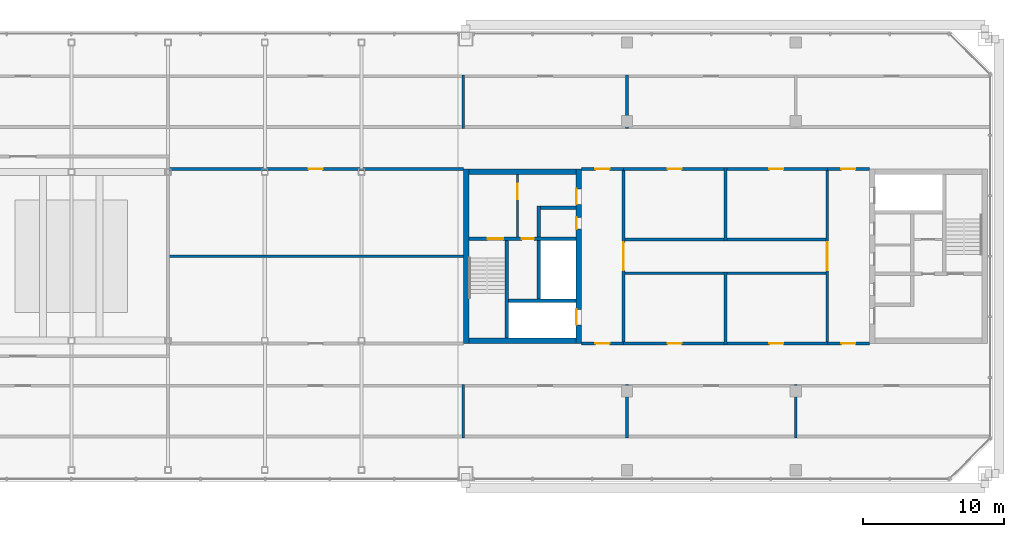
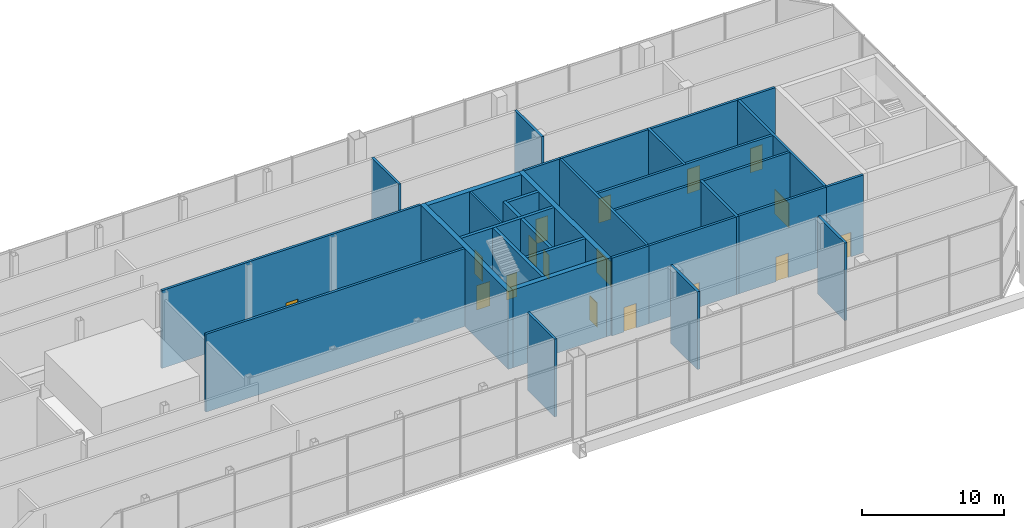
# One storey, part 24 of 27: 30 walls, 17 doors, 17 openings.
"""IFC4 building model written with IfcOpenShell, lengths in metres."""

from ifc_helpers import new_model, si_unit, direction, frame, frame_2d, origin, place, context, subcontext, project, spatial, rectangle, extrude, material, layer, layer_set, type_object, element, fill, save


model = new_model("IFC4")

# Units and contexts
model_context = context("Model", 3, precision=1e-05, world=origin(), true_north=direction((0.0, 1.0)))
body_context = subcontext(model_context, "Body", "Model", "MODEL_VIEW")
ifc_project = project(units=[si_unit("LENGTHUNIT", "METRE"), si_unit("AREAUNIT", "SQUARE_METRE"), si_unit("VOLUMEUNIT", "CUBIC_METRE"), si_unit("PLANEANGLEUNIT", "RADIAN"), si_unit("MASSUNIT", "GRAM", prefix="KILO")], contexts=[model_context])

# Site, building, storey
site_placement = place(None, origin())
site = spatial("IfcSite", under=ifc_project, at=site_placement, CompositionType="ELEMENT")
building_placement = place(site_placement, origin())
building = spatial("IfcBuilding", under=site, at=building_placement, Name="Tuart Gate Housing", CompositionType="ELEMENT")
storey_placement = place(building_placement, frame((0.0, 0.0, 236.89990234375)))
storey = spatial("IfcBuildingStorey", under=building, at=storey_placement, Name="L67", CompositionType="ELEMENT", Elevation=236.89990234375)

# Wall, opening, door
ifc_material_1 = material(Name="Plasterboard partition")
ifc_layer_1 = layer(ifc_material_1, 0.14990234375)
ifc_layer_set_1 = layer_set([ifc_layer_1], Name="Core partition 150")
wall_type_1 = type_object("IfcWallType", Name="Core partition 150", PredefinedType="PARTITIONING", material=ifc_layer_set_1)
wall_1_placement = place(storey_placement, frame((135.2099609375, 71.375, 0.0), z_axis=(0.0, 0.0, 1.0), x_axis=(0.0, 1.0, 0.0)))
wall_1 = element("IfcWall", 1, at=wall_1_placement, inside=storey, type_object=wall_type_1, Name="Core partition BG.6", PredefinedType="PARTITIONING", context=body_context, shape_type="SweptSolid", body=[
    extrude(rectangle(XDim=4.425048828125, YDim=0.14990234375, at=frame_2d((2.21240234375, 0.0))), origin(), (0.0, 0.0, 1.0), 6.7001953125),
])
opening_1_placement = place(wall_1_placement, frame((2.699951171875, 0.0, 0.0)))
opening_1 = element("IfcOpeningElement", 2, at=opening_1_placement, cuts=wall_1, Name="Opening D325", PredefinedType="OPENING", context=body_context, shape_type="SweptSolid", body=[
    extrude(rectangle(XDim=1.10009765625, YDim=2.10009765625, at=frame_2d((0.550048828125, 1.050048828125))), frame((0.0, 0.0849609375, 0.0), z_axis=(0.0, -1.0, 0.0), x_axis=(1.0, 0.0, 0.0)), (0.0, 0.0, 1.0), 0.169921875),
])
ifc_material_2 = material(Name="Steel fire door", Category="steel")
door_type_1 = type_object("IfcDoorType", Name="Lobby door 1100 x 2100 RH", OperationType="SINGLE_SWING_RIGHT", PredefinedType="DOOR", material=ifc_material_2)
door_1_placement = place(opening_1_placement, origin())
door_1 = element("IfcDoor", 3, at=door_1_placement, inside=storey, type_object=door_type_1, Name="Smoke lobby door BG.KD", OperationType="SINGLE_SWING_RIGHT", OverallHeight=2.10009765625, OverallWidth=1.10009765625, PredefinedType="DOOR", context=body_context, shape_type="SweptSolid", body=[
    extrude(rectangle(XDim=1.10009765625, YDim=2.10009765625, at=frame_2d((0.550048828125, 1.050048828125))), frame((0.0, 0.02490234375, 0.0), z_axis=(0.0, -1.0, 0.0), x_axis=(1.0, 0.0, 0.0)), (0.0, 0.0, 1.0), 0.050048828125),
])
fill(opening_1, door_1)

# Wall
ifc_material_3 = material(Name="Concrete C40", Category="concrete")
ifc_layer_2 = layer(ifc_material_3, 0.25)
ifc_layer_set_2 = layer_set([ifc_layer_2], Name="Core wall 250 C40")
wall_type_2 = type_object("IfcWallType", Name="Core wall 250 C40", PredefinedType="SHEAR", material=ifc_layer_set_2)
wall_2_placement = place(storey_placement, frame((139.360107421875, 66.85009765625, 0.0), z_axis=(0.0, 0.0, 1.0), x_axis=(-1.0, 0.0, 0.0)))
element("IfcWall", 4, at=wall_2_placement, inside=storey, type_object=wall_type_2, Name="Core wall BG.1", PredefinedType="SHEAR", context=body_context, shape_type="SweptSolid", body=[
    extrude(rectangle(XDim=4.775146484375, YDim=0.25, at=frame_2d((2.3876953125, 0.0))), origin(), (0.0, 0.0, 1.0), 6.7001953125),
])

# Wall, openings, doors
wall_3_placement = place(storey_placement, frame((139.360107421875, 71.25, 0.0), z_axis=(0.0, 0.0, 1.0), x_axis=(-1.0, 0.0, 0.0)))
wall_3 = element("IfcWall", 5, at=wall_3_placement, inside=storey, type_object=wall_type_2, Name="Core wall BG.2", PredefinedType="SHEAR", context=body_context, shape_type="SweptSolid", body=[
    extrude(rectangle(XDim=7.60009765625, YDim=0.25, at=frame_2d((3.800048828125, 0.0))), origin(), (0.0, 0.0, 1.0), 6.7001953125),
])
opening_2_placement = place(wall_3_placement, frame((5.175048828125, 0.0, 0.0)))
opening_2 = element("IfcOpeningElement", 6, at=opening_2_placement, cuts=wall_3, Name="Opening D327", PredefinedType="OPENING", context=body_context, shape_type="SweptSolid", body=[
    extrude(rectangle(XDim=1.10009765625, YDim=2.10009765625, at=frame_2d((0.550048828125, 1.050048828125))), frame((0.0, 0.135009765625, 0.0), z_axis=(0.0, -1.0, 0.0), x_axis=(1.0, 0.0, 0.0)), (0.0, 0.0, 1.0), 0.27001953125),
])
opening_3_placement = place(wall_3_placement, frame((2.97509765625, 0.0, 0.0)))
opening_3 = element("IfcOpeningElement", 7, at=opening_3_placement, cuts=wall_3, Name="Opening D326", PredefinedType="OPENING", context=body_context, shape_type="SweptSolid", body=[
    extrude(rectangle(XDim=0.85009765625, YDim=2.10009765625, at=frame_2d((0.425048828125, 1.050048828125))), frame((0.0, 0.135009765625, 0.0), z_axis=(0.0, -1.0, 0.0), x_axis=(1.0, 0.0, 0.0)), (0.0, 0.0, 1.0), 0.27001953125),
])
ifc_material_4 = material(Name="Steel fire door", Category="steel")
door_type_2 = type_object("IfcDoorType", Name="Riser door 850 x 2100", OperationType="SINGLE_SWING_LEFT", PredefinedType="DOOR", material=ifc_material_4)
door_2_placement = place(opening_3_placement, origin())
door_2 = element("IfcDoor", 8, at=door_2_placement, inside=storey, type_object=door_type_2, Name="Service room door BG.W1", OperationType="SINGLE_SWING_LEFT", OverallHeight=2.10009765625, OverallWidth=0.85009765625, PredefinedType="DOOR", context=body_context, shape_type="SweptSolid", body=[
    extrude(rectangle(XDim=0.85009765625, YDim=2.10009765625, at=frame_2d((0.425048828125, 1.050048828125))), frame((0.0, 0.02490234375, 0.0), z_axis=(0.0, -1.0, 0.0), x_axis=(1.0, 0.0, 0.0)), (0.0, 0.0, 1.0), 0.050048828125),
])
fill(opening_3, door_2)
ifc_material_5 = material(Name="Steel fire door", Category="steel")
door_type_3 = type_object("IfcDoorType", Name="Stair door 1100 x 2100", OperationType="SINGLE_SWING_LEFT", PredefinedType="DOOR", material=ifc_material_5)
door_3_placement = place(opening_2_placement, origin())
door_3 = element("IfcDoor", 9, at=door_3_placement, inside=storey, type_object=door_type_3, Name="Stair door BG.SD", OperationType="SINGLE_SWING_LEFT", OverallHeight=2.10009765625, OverallWidth=1.10009765625, PredefinedType="DOOR", context=body_context, shape_type="SweptSolid", body=[
    extrude(rectangle(XDim=1.10009765625, YDim=2.10009765625, at=frame_2d((0.550048828125, 1.050048828125))), frame((0.0, 0.02490234375, 0.0), z_axis=(0.0, -1.0, 0.0), x_axis=(1.0, 0.0, 0.0)), (0.0, 0.0, 1.0), 0.050048828125),
])
fill(opening_2, door_3)

# Walls
wall_4_placement = place(storey_placement, frame((139.360107421875, 73.449951171875, 0.0), z_axis=(0.0, 0.0, 1.0), x_axis=(-1.0, 0.0, 0.0)))
element("IfcWall", 10, at=wall_4_placement, inside=storey, type_object=wall_type_2, Name="Core wall BG.3", PredefinedType="SHEAR", context=body_context, shape_type="SweptSolid", body=[
    extrude(rectangle(XDim=2.525146484375, YDim=0.25, at=frame_2d((1.2626953125, 0.0))), origin(), (0.0, 0.0, 1.0), 6.7001953125),
])
wall_5_placement = place(storey_placement, frame((136.7099609375, 66.97509765625, 0.0), z_axis=(0.0, 0.0, 1.0), x_axis=(0.0, 1.0, 0.0)))
element("IfcWall", 11, at=wall_5_placement, inside=storey, type_object=wall_type_2, Name="Core wall BG.4", PredefinedType="SHEAR", context=body_context, shape_type="SweptSolid", body=[
    extrude(rectangle(XDim=4.14990234375, YDim=0.25, at=frame_2d((2.074951171875, 0.0))), origin(), (0.0, 0.0, 1.0), 6.7001953125),
])
wall_6_placement = place(storey_placement, frame((136.7099609375, 71.375, 0.0), z_axis=(0.0, 0.0, 1.0), x_axis=(0.0, 1.0, 0.0)))
element("IfcWall", 12, at=wall_6_placement, inside=storey, type_object=wall_type_2, Name="Core wall BG.5", PredefinedType="SHEAR", context=body_context, shape_type="SweptSolid", body=[
    extrude(rectangle(XDim=2.199951171875, YDim=0.25, at=frame_2d((1.10009765625, 0.0))), origin(), (0.0, 0.0, 1.0), 6.7001953125),
])
wall_7_placement = place(storey_placement, frame((134.4599609375, 64.199951171875, 0.0), z_axis=(0.0, 0.0, 1.0), x_axis=(0.0, 1.0, 0.0)))
element("IfcWall", 13, at=wall_7_placement, inside=storey, type_object=wall_type_2, Name="Core wall BG.7", PredefinedType="SHEAR", context=body_context, shape_type="SweptSolid", body=[
    extrude(rectangle(XDim=6.925048828125, YDim=0.25, at=frame_2d((3.46240234375, 0.0))), origin(), (0.0, 0.0, 1.0), 6.7001953125),
])

# Wall, openings, doors
ifc_material_6 = material(Name="Concrete C40", Category="concrete")
ifc_layer_3 = layer(ifc_material_6, 0.39990234375)
ifc_layer_set_3 = layer_set([ifc_layer_3], Name="Core wall 400 C40")
wall_type_3 = type_object("IfcWallType", Name="Core wall 400 C40", PredefinedType="SHEAR", material=ifc_layer_set_3)
wall_8_placement = place(storey_placement, frame((139.56005859375, 63.800048828125, 0.0), z_axis=(0.0, 0.0, 1.0), x_axis=(0.0, 1.0, 0.0)))
wall_8 = element("IfcWall", 14, at=wall_8_placement, inside=storey, type_object=wall_type_3, Name="Core wall BG front", PredefinedType="SHEAR", context=body_context, shape_type="SweptSolid", body=[
    extrude(rectangle(XDim=12.39990234375, YDim=0.39990234375, at=frame_2d((6.199951171875, 0.0))), origin(), (0.0, 0.0, 1.0), 6.7001953125),
])
opening_4_placement = place(wall_8_placement, frame((1.324951171875, 0.0, 0.0)))
opening_4 = element("IfcOpeningElement", 15, at=opening_4_placement, cuts=wall_8, Name="Opening LD-FB1", PredefinedType="OPENING", context=body_context, shape_type="SweptSolid", body=[
    extrude(rectangle(XDim=1.10009765625, YDim=2.10009765625, at=frame_2d((0.550048828125, 1.050048828125))), frame((0.0, 0.2099609375, 0.0), z_axis=(0.0, -1.0, 0.0), x_axis=(1.0, 0.0, 0.0)), (0.0, 0.0, 1.0), 0.419921875),
])
opening_5_placement = place(wall_8_placement, frame((9.89990234375, 0.0, 0.0)))
opening_5 = element("IfcOpeningElement", 16, at=opening_5_placement, cuts=wall_8, Name="Opening D329", PredefinedType="OPENING", context=body_context, shape_type="SweptSolid", body=[
    extrude(rectangle(XDim=1.10009765625, YDim=2.10009765625, at=frame_2d((0.550048828125, 1.050048828125))), frame((0.0, 0.2099609375, 0.0), z_axis=(0.0, -1.0, 0.0), x_axis=(1.0, 0.0, 0.0)), (0.0, 0.0, 1.0), 0.419921875),
])
opening_6_placement = place(wall_8_placement, frame((8.125, 0.0, 0.0)))
opening_6 = element("IfcOpeningElement", 17, at=opening_6_placement, cuts=wall_8, Name="Opening D330", PredefinedType="OPENING", context=body_context, shape_type="SweptSolid", body=[
    extrude(rectangle(XDim=0.85009765625, YDim=2.10009765625, at=frame_2d((0.425048828125, 1.050048828125))), frame((0.0, 0.2099609375, 0.0), z_axis=(0.0, -1.0, 0.0), x_axis=(1.0, 0.0, 0.0)), (0.0, 0.0, 1.0), 0.419921875),
])
ifc_material_7 = material(Name="Stainless steel", Category="steel")
door_type_4 = type_object("IfcDoorType", Name="Landing door 1100 x 2100", OperationType="DOUBLE_DOOR_SLIDING", PredefinedType="DOOR", material=ifc_material_7)
door_4_placement = place(opening_4_placement, origin())
door_4 = element("IfcDoor", 18, at=door_4_placement, inside=storey, type_object=door_type_4, Name="Lift landing door FB1", OperationType="DOUBLE_DOOR_SLIDING", OverallHeight=2.10009765625, OverallWidth=1.10009765625, PredefinedType="DOOR", context=body_context, shape_type="SweptSolid", body=[
    extrude(rectangle(XDim=1.10009765625, YDim=2.10009765625, at=frame_2d((0.550048828125, 1.050048828125))), frame((0.0, 0.18505859375, 0.0), z_axis=(0.0, -1.0, 0.0), x_axis=(1.0, 0.0, 0.0)), (0.0, 0.0, 1.0), 0.050048828125),
])
fill(opening_4, door_4)
ifc_material_8 = material(Name="Steel fire door", Category="steel")
door_type_5 = type_object("IfcDoorType", Name="Lobby door 1100 x 2100", OperationType="SINGLE_SWING_LEFT", PredefinedType="DOOR", material=ifc_material_8)
door_5_placement = place(opening_5_placement, origin())
door_5 = element("IfcDoor", 19, at=door_5_placement, inside=storey, type_object=door_type_5, Name="Lobby entry door BG.EN", OperationType="SINGLE_SWING_LEFT", OverallHeight=2.10009765625, OverallWidth=1.10009765625, PredefinedType="DOOR", context=body_context, shape_type="SweptSolid", body=[
    extrude(rectangle(XDim=1.10009765625, YDim=2.10009765625, at=frame_2d((0.550048828125, 1.050048828125))), frame((0.0, 0.18505859375, 0.0), z_axis=(0.0, -1.0, 0.0), x_axis=(1.0, 0.0, 0.0)), (0.0, 0.0, 1.0), 0.050048828125),
])
fill(opening_5, door_5)
ifc_material_9 = material(Name="Steel fire door", Category="steel")
door_type_6 = type_object("IfcDoorType", Name="Service door 850 x 2100", OperationType="SINGLE_SWING_LEFT", PredefinedType="DOOR", material=ifc_material_9)
door_6_placement = place(opening_6_placement, origin())
door_6 = element("IfcDoor", 20, at=door_6_placement, inside=storey, type_object=door_type_6, Name="Service room door BG.T1", OperationType="SINGLE_SWING_LEFT", OverallHeight=2.10009765625, OverallWidth=0.85009765625, PredefinedType="DOOR", context=body_context, shape_type="SweptSolid", body=[
    extrude(rectangle(XDim=0.85009765625, YDim=2.10009765625, at=frame_2d((0.425048828125, 1.050048828125))), frame((0.0, 0.18505859375, 0.0), z_axis=(0.0, -1.0, 0.0), x_axis=(1.0, 0.0, 0.0)), (0.0, 0.0, 1.0), 0.050048828125),
])
fill(opening_6, door_6)

# Walls
wall_9_placement = place(storey_placement, frame((131.56005859375, 63.800048828125, 0.0), z_axis=(0.0, 0.0, 1.0), x_axis=(0.0, 1.0, 0.0)))
element("IfcWall", 21, at=wall_9_placement, inside=storey, type_object=wall_type_3, Name="Core wall BG back", PredefinedType="SHEAR", context=body_context, shape_type="SweptSolid", body=[
    extrude(rectangle(XDim=12.39990234375, YDim=0.39990234375, at=frame_2d((6.199951171875, 0.0))), origin(), (0.0, 0.0, 1.0), 6.7001953125),
])
for number, where, z_axis, x_axis, name in (
    (22, (139.360107421875, 64.0, 0.0), (0.0, 0.0, 1.0), (-1.0, 0.0, 0.0), "Core wall BG south"),
    (23, (139.360107421875, 76.0, 0.0), (0.0, 0.0, 1.0), (-1.0, 0.0, 0.0), "Core wall BG north"),
):
    element("IfcWall", number, at=place(storey_placement, frame(where, z_axis=z_axis, x_axis=x_axis)), inside=storey, type_object=wall_type_3, Name=name, PredefinedType="SHEAR", context=body_context, shape_type="SweptSolid", body=[
        extrude(rectangle(XDim=7.60009765625, YDim=0.39990234375, at=frame_2d((3.800048828125, 0.0))), origin(), (0.0, 0.0, 1.0), 6.7001953125),
    ])

# Wall, openings, doors
ifc_material_10 = material(Name="Concrete masonry 15 MPa", Category="masonry")
ifc_layer_4 = layer(ifc_material_10, 0.199951171875)
ifc_layer_set_4 = layer_set([ifc_layer_4], Name="Enclosure wall masonry 200")
wall_type_4 = type_object("IfcWallType", Name="Enclosure wall masonry 200", PredefinedType="PARTITIONING", material=ifc_layer_set_4)
wall_10_placement = place(storey_placement, frame((142.760009765625, 63.800048828125, 0.0), z_axis=(0.0, 0.0, 1.0), x_axis=(1.0, 0.0, 0.0)))
wall_10 = element("IfcWall", 24, at=wall_10_placement, inside=storey, type_object=wall_type_4, Name="Enclosure wall masonry 200", PredefinedType="PARTITIONING", context=body_context, shape_type="SweptSolid", body=[
    extrude(rectangle(XDim=14.47998046875, YDim=0.199951171875, at=frame_2d((7.239990234375, 0.0))), origin(), (0.0, 0.0, 1.0), 6.7001953125),
])
opening_7_placement = place(wall_10_placement, frame((3.1201171875, 0.0, 0.0)))
opening_7 = element("IfcOpeningElement", 25, at=opening_7_placement, cuts=wall_10, Name="Opening D340", PredefinedType="OPENING", context=body_context, shape_type="SweptSolid", body=[
    extrude(rectangle(XDim=1.0, YDim=2.10009765625, at=frame_2d((0.5, 1.050048828125))), frame((0.0, 0.10986328125, 0.0), z_axis=(0.0, -1.0, 0.0), x_axis=(1.0, 0.0, 0.0)), (0.0, 0.0, 1.0), 0.219970703125),
])
opening_8_placement = place(wall_10_placement, frame((10.360107421875, 0.0, 0.0)))
opening_8 = element("IfcOpeningElement", 26, at=opening_8_placement, cuts=wall_10, Name="Opening D341", PredefinedType="OPENING", context=body_context, shape_type="SweptSolid", body=[
    extrude(rectangle(XDim=1.0, YDim=2.10009765625, at=frame_2d((0.5, 1.050048828125))), frame((0.0, 0.10986328125, 0.0), z_axis=(0.0, -1.0, 0.0), x_axis=(1.0, 0.0, 0.0)), (0.0, 0.0, 1.0), 0.219970703125),
])
ifc_material_11 = material(Name="Timber door leaf in steel frame", Category="steel")
door_type_7 = type_object("IfcDoorType", Name="Fire door 1000", OperationType="SINGLE_SWING_LEFT", PredefinedType="DOOR", material=ifc_material_11)
door_7_placement = place(opening_7_placement, origin())
door_7 = element("IfcDoor", 27, at=door_7_placement, inside=storey, type_object=door_type_7, Name="Fire door 1000", OperationType="SINGLE_SWING_LEFT", OverallHeight=2.10009765625, OverallWidth=1.0, PredefinedType="DOOR", context=body_context, shape_type="SweptSolid", body=[
    extrude(rectangle(XDim=1.0, YDim=2.10009765625, at=frame_2d((0.5, 1.050048828125))), frame((0.0, 0.02490234375, 0.0), z_axis=(0.0, -1.0, 0.0), x_axis=(1.0, 0.0, 0.0)), (0.0, 0.0, 1.0), 0.050048828125),
])
fill(opening_7, door_7)
door_8_placement = place(opening_8_placement, origin())
door_8 = element("IfcDoor", 28, at=door_8_placement, inside=storey, type_object=door_type_7, Name="Fire door 1000", OperationType="SINGLE_SWING_LEFT", OverallHeight=2.10009765625, OverallWidth=1.0, PredefinedType="DOOR", context=body_context, shape_type="SweptSolid", body=[
    extrude(rectangle(XDim=1.0, YDim=2.10009765625, at=frame_2d((0.5, 1.050048828125))), frame((0.0, 0.02490234375, 0.0), z_axis=(0.0, -1.0, 0.0), x_axis=(1.0, 0.0, 0.0)), (0.0, 0.0, 1.0), 0.050048828125),
])
fill(opening_8, door_8)

# Wall, opening, door
wall_11_placement = place(storey_placement, frame((139.760009765625, 63.800048828125, 0.0), z_axis=(0.0, 0.0, 1.0), x_axis=(1.0, 0.0, 0.0)))
wall_11 = element("IfcWall", 29, at=wall_11_placement, inside=storey, type_object=wall_type_4, Name="Enclosure wall masonry 200", PredefinedType="PARTITIONING", context=body_context, shape_type="SweptSolid", body=[
    extrude(rectangle(XDim=3.0, YDim=0.199951171875, at=frame_2d((1.5, 0.0))), origin(), (0.0, 0.0, 1.0), 6.7001953125),
])
opening_9_placement = place(wall_11_placement, frame((1.0, 0.0, 0.0)))
opening_9 = element("IfcOpeningElement", 30, at=opening_9_placement, cuts=wall_11, Name="Opening D339", PredefinedType="OPENING", context=body_context, shape_type="SweptSolid", body=[
    extrude(rectangle(XDim=1.0, YDim=2.10009765625, at=frame_2d((0.5, 1.050048828125))), frame((0.0, 0.10986328125, 0.0), z_axis=(0.0, -1.0, 0.0), x_axis=(1.0, 0.0, 0.0)), (0.0, 0.0, 1.0), 0.219970703125),
])
ifc_material_12 = material(Name="Timber door leaf in steel frame", Category="steel")
door_type_8 = type_object("IfcDoorType", Name="Lobby door 1000 RH", OperationType="SINGLE_SWING_RIGHT", PredefinedType="DOOR", material=ifc_material_12)
door_9_placement = place(opening_9_placement, origin())
door_9 = element("IfcDoor", 31, at=door_9_placement, inside=storey, type_object=door_type_8, Name="Lobby door 1000", OperationType="SINGLE_SWING_RIGHT", OverallHeight=2.10009765625, OverallWidth=1.0, PredefinedType="DOOR", context=body_context, shape_type="SweptSolid", body=[
    extrude(rectangle(XDim=1.0, YDim=2.10009765625, at=frame_2d((0.5, 1.050048828125))), frame((0.0, 0.02490234375, 0.0), z_axis=(0.0, -1.0, 0.0), x_axis=(1.0, 0.0, 0.0)), (0.0, 0.0, 1.0), 0.050048828125),
])
fill(opening_9, door_9)

wall_12_placement = place(storey_placement, frame((157.239990234375, 63.800048828125, 0.0), z_axis=(0.0, 0.0, 1.0), x_axis=(1.0, 0.0, 0.0)))
wall_12 = element("IfcWall", 32, at=wall_12_placement, inside=storey, type_object=wall_type_4, Name="Enclosure wall masonry 200", PredefinedType="PARTITIONING", context=body_context, shape_type="SweptSolid", body=[
    extrude(rectangle(XDim=3.0, YDim=0.199951171875, at=frame_2d((1.5, 0.0))), origin(), (0.0, 0.0, 1.0), 6.7001953125),
])
opening_10_placement = place(wall_12_placement, frame((1.0, 0.0, 0.0)))
opening_10 = element("IfcOpeningElement", 33, at=opening_10_placement, cuts=wall_12, Name="Opening D342", PredefinedType="OPENING", context=body_context, shape_type="SweptSolid", body=[
    extrude(rectangle(XDim=1.0, YDim=2.10009765625, at=frame_2d((0.5, 1.050048828125))), frame((0.0, 0.10986328125, 0.0), z_axis=(0.0, -1.0, 0.0), x_axis=(1.0, 0.0, 0.0)), (0.0, 0.0, 1.0), 0.219970703125),
])
ifc_material_13 = material(Name="Timber door leaf in steel frame", Category="steel")
door_type_9 = type_object("IfcDoorType", Name="Lobby door 1000", OperationType="SINGLE_SWING_LEFT", PredefinedType="DOOR", material=ifc_material_13)
door_10_placement = place(opening_10_placement, origin())
door_10 = element("IfcDoor", 34, at=door_10_placement, inside=storey, type_object=door_type_9, Name="Lobby door 1000", OperationType="SINGLE_SWING_LEFT", OverallHeight=2.10009765625, OverallWidth=1.0, PredefinedType="DOOR", context=body_context, shape_type="SweptSolid", body=[
    extrude(rectangle(XDim=1.0, YDim=2.10009765625, at=frame_2d((0.5, 1.050048828125))), frame((0.0, 0.02490234375, 0.0), z_axis=(0.0, -1.0, 0.0), x_axis=(1.0, 0.0, 0.0)), (0.0, 0.0, 1.0), 0.050048828125),
])
fill(opening_10, door_10)

# Walls
wall_13_placement = place(storey_placement, frame((142.760009765625, 68.800048828125, 0.0), z_axis=(0.0, 0.0, 1.0), x_axis=(1.0, 0.0, 0.0)))
element("IfcWall", 35, at=wall_13_placement, inside=storey, type_object=wall_type_4, Name="Enclosure wall masonry 200", PredefinedType="PARTITIONING", context=body_context, shape_type="SweptSolid", body=[
    extrude(rectangle(XDim=14.47998046875, YDim=0.199951171875, at=frame_2d((7.239990234375, 0.0))), origin(), (0.0, 0.0, 1.0), 6.7001953125),
])
wall_14_placement = place(storey_placement, frame((110.27490234375, 70.0, 0.0), z_axis=(0.0, 0.0, 1.0), x_axis=(1.0, 0.0, 0.0)))
element("IfcWall", 36, at=wall_14_placement, inside=storey, type_object=wall_type_4, Name="Enclosure wall masonry 200", PredefinedType="PARTITIONING", context=body_context, shape_type="SweptSolid", body=[
    extrude(rectangle(XDim=21.085205078125, YDim=0.199951171875, at=frame_2d((10.54248046875, 0.0))), origin(), (0.0, 0.0, 1.0), 6.7001953125),
])
wall_15_placement = place(storey_placement, frame((142.760009765625, 71.199951171875, 0.0), z_axis=(0.0, 0.0, 1.0), x_axis=(1.0, 0.0, 0.0)))
element("IfcWall", 37, at=wall_15_placement, inside=storey, type_object=wall_type_4, Name="Enclosure wall masonry 200", PredefinedType="PARTITIONING", context=body_context, shape_type="SweptSolid", body=[
    extrude(rectangle(XDim=14.47998046875, YDim=0.199951171875, at=frame_2d((7.239990234375, 0.0))), origin(), (0.0, 0.0, 1.0), 6.7001953125),
])

# Wall, opening, door
wall_16_placement = place(storey_placement, frame((110.27490234375, 76.199951171875, 0.0), z_axis=(0.0, 0.0, 1.0), x_axis=(1.0, 0.0, 0.0)))
wall_16 = element("IfcWall", 38, at=wall_16_placement, inside=storey, type_object=wall_type_4, Name="Enclosure wall masonry 200", PredefinedType="PARTITIONING", context=body_context, shape_type="SweptSolid", body=[
    extrude(rectangle(XDim=21.085205078125, YDim=0.199951171875, at=frame_2d((10.54248046875, 0.0))), origin(), (0.0, 0.0, 1.0), 6.7001953125),
])
opening_11_placement = place(wall_16_placement, frame((10.093017578125, 0.0, 0.0)))
opening_11 = element("IfcOpeningElement", 39, at=opening_11_placement, cuts=wall_16, Name="Opening D308", PredefinedType="OPENING", context=body_context, shape_type="SweptSolid", body=[
    extrude(rectangle(XDim=1.0, YDim=2.10009765625, at=frame_2d((0.5, 1.050048828125))), frame((0.0, 0.10986328125, 0.0), z_axis=(0.0, -1.0, 0.0), x_axis=(1.0, 0.0, 0.0)), (0.0, 0.0, 1.0), 0.219970703125),
])
door_11_placement = place(opening_11_placement, frame((1.0, 0.0, 0.0), z_axis=(0.0, 0.0, 1.0), x_axis=(-1.0, 0.0, 0.0)))
door_11 = element("IfcDoor", 40, at=door_11_placement, inside=storey, type_object=door_type_7, Name="Fire door 1000", OperationType="SINGLE_SWING_LEFT", OverallHeight=2.10009765625, OverallWidth=1.0, PredefinedType="DOOR", context=body_context, shape_type="SweptSolid", body=[
    extrude(rectangle(XDim=1.0, YDim=2.10009765625, at=frame_2d((0.5, 1.050048828125))), frame((0.0, 0.025146484375, 0.0), z_axis=(0.0, -1.0, 0.0), x_axis=(1.0, 0.0, 0.0)), (0.0, 0.0, 1.0), 0.050048828125),
])
fill(opening_11, door_11)

# Wall, openings, doors
wall_17_placement = place(storey_placement, frame((142.760009765625, 76.199951171875, 0.0), z_axis=(0.0, 0.0, 1.0), x_axis=(1.0, 0.0, 0.0)))
wall_17 = element("IfcWall", 41, at=wall_17_placement, inside=storey, type_object=wall_type_4, Name="Enclosure wall masonry 200", PredefinedType="PARTITIONING", context=body_context, shape_type="SweptSolid", body=[
    extrude(rectangle(XDim=14.47998046875, YDim=0.199951171875, at=frame_2d((7.239990234375, 0.0))), origin(), (0.0, 0.0, 1.0), 6.7001953125),
])
opening_12_placement = place(wall_17_placement, frame((3.1201171875, 0.0, 0.0)))
opening_12 = element("IfcOpeningElement", 42, at=opening_12_placement, cuts=wall_17, Name="Opening D322", PredefinedType="OPENING", context=body_context, shape_type="SweptSolid", body=[
    extrude(rectangle(XDim=1.0, YDim=2.10009765625, at=frame_2d((0.5, 1.050048828125))), frame((0.0, 0.10986328125, 0.0), z_axis=(0.0, -1.0, 0.0), x_axis=(1.0, 0.0, 0.0)), (0.0, 0.0, 1.0), 0.219970703125),
])
opening_13_placement = place(wall_17_placement, frame((10.360107421875, 0.0, 0.0)))
opening_13 = element("IfcOpeningElement", 43, at=opening_13_placement, cuts=wall_17, Name="Opening D323", PredefinedType="OPENING", context=body_context, shape_type="SweptSolid", body=[
    extrude(rectangle(XDim=1.0, YDim=2.10009765625, at=frame_2d((0.5, 1.050048828125))), frame((0.0, 0.10986328125, 0.0), z_axis=(0.0, -1.0, 0.0), x_axis=(1.0, 0.0, 0.0)), (0.0, 0.0, 1.0), 0.219970703125),
])
ifc_material_14 = material(Name="Timber door leaf in steel frame", Category="steel")
door_type_10 = type_object("IfcDoorType", Name="Fire door 1000 RH", OperationType="SINGLE_SWING_RIGHT", PredefinedType="DOOR", material=ifc_material_14)
door_12_placement = place(opening_12_placement, frame((1.0, 0.0, 0.0), z_axis=(0.0, 0.0, 1.0), x_axis=(-1.0, 0.0, 0.0)))
door_12 = element("IfcDoor", 44, at=door_12_placement, inside=storey, type_object=door_type_10, Name="Fire door 1000", OperationType="SINGLE_SWING_RIGHT", OverallHeight=2.10009765625, OverallWidth=1.0, PredefinedType="DOOR", context=body_context, shape_type="SweptSolid", body=[
    extrude(rectangle(XDim=1.0, YDim=2.10009765625, at=frame_2d((0.5, 1.050048828125))), frame((0.0, 0.025146484375, 0.0), z_axis=(0.0, -1.0, 0.0), x_axis=(1.0, 0.0, 0.0)), (0.0, 0.0, 1.0), 0.050048828125),
])
fill(opening_12, door_12)
door_13_placement = place(opening_13_placement, frame((1.0, 0.0, 0.0), z_axis=(0.0, 0.0, 1.0), x_axis=(-1.0, 0.0, 0.0)))
door_13 = element("IfcDoor", 45, at=door_13_placement, inside=storey, type_object=door_type_10, Name="Fire door 1000", OperationType="SINGLE_SWING_RIGHT", OverallHeight=2.10009765625, OverallWidth=1.0, PredefinedType="DOOR", context=body_context, shape_type="SweptSolid", body=[
    extrude(rectangle(XDim=1.0, YDim=2.10009765625, at=frame_2d((0.5, 1.050048828125))), frame((0.0, 0.025146484375, 0.0), z_axis=(0.0, -1.0, 0.0), x_axis=(1.0, 0.0, 0.0)), (0.0, 0.0, 1.0), 0.050048828125),
])
fill(opening_13, door_13)

# Wall, opening, door
wall_18_placement = place(storey_placement, frame((139.760009765625, 76.199951171875, 0.0), z_axis=(0.0, 0.0, 1.0), x_axis=(1.0, 0.0, 0.0)))
wall_18 = element("IfcWall", 46, at=wall_18_placement, inside=storey, type_object=wall_type_4, Name="Enclosure wall masonry 200", PredefinedType="PARTITIONING", context=body_context, shape_type="SweptSolid", body=[
    extrude(rectangle(XDim=3.0, YDim=0.199951171875, at=frame_2d((1.5, 0.0))), origin(), (0.0, 0.0, 1.0), 6.7001953125),
])
opening_14_placement = place(wall_18_placement, frame((1.0, 0.0, 0.0)))
opening_14 = element("IfcOpeningElement", 47, at=opening_14_placement, cuts=wall_18, Name="Opening D321", PredefinedType="OPENING", context=body_context, shape_type="SweptSolid", body=[
    extrude(rectangle(XDim=1.0, YDim=2.10009765625, at=frame_2d((0.5, 1.050048828125))), frame((0.0, 0.10986328125, 0.0), z_axis=(0.0, -1.0, 0.0), x_axis=(1.0, 0.0, 0.0)), (0.0, 0.0, 1.0), 0.219970703125),
])
door_14_placement = place(opening_14_placement, frame((1.0, 0.0, 0.0), z_axis=(0.0, 0.0, 1.0), x_axis=(-1.0, 0.0, 0.0)))
door_14 = element("IfcDoor", 48, at=door_14_placement, inside=storey, type_object=door_type_9, Name="Lobby door 1000", OperationType="SINGLE_SWING_LEFT", OverallHeight=2.10009765625, OverallWidth=1.0, PredefinedType="DOOR", context=body_context, shape_type="SweptSolid", body=[
    extrude(rectangle(XDim=1.0, YDim=2.10009765625, at=frame_2d((0.5, 1.050048828125))), frame((0.0, 0.025146484375, 0.0), z_axis=(0.0, -1.0, 0.0), x_axis=(1.0, 0.0, 0.0)), (0.0, 0.0, 1.0), 0.050048828125),
])
fill(opening_14, door_14)

wall_19_placement = place(storey_placement, frame((157.239990234375, 76.199951171875, 0.0), z_axis=(0.0, 0.0, 1.0), x_axis=(1.0, 0.0, 0.0)))
wall_19 = element("IfcWall", 49, at=wall_19_placement, inside=storey, type_object=wall_type_4, Name="Enclosure wall masonry 200", PredefinedType="PARTITIONING", context=body_context, shape_type="SweptSolid", body=[
    extrude(rectangle(XDim=3.0, YDim=0.199951171875, at=frame_2d((1.5, 0.0))), origin(), (0.0, 0.0, 1.0), 6.7001953125),
])
opening_15_placement = place(wall_19_placement, frame((1.0, 0.0, 0.0)))
opening_15 = element("IfcOpeningElement", 50, at=opening_15_placement, cuts=wall_19, Name="Opening D324", PredefinedType="OPENING", context=body_context, shape_type="SweptSolid", body=[
    extrude(rectangle(XDim=1.0, YDim=2.10009765625, at=frame_2d((0.5, 1.050048828125))), frame((0.0, 0.10986328125, 0.0), z_axis=(0.0, -1.0, 0.0), x_axis=(1.0, 0.0, 0.0)), (0.0, 0.0, 1.0), 0.219970703125),
])
door_15_placement = place(opening_15_placement, frame((1.0, 0.0, 0.0), z_axis=(0.0, 0.0, 1.0), x_axis=(-1.0, 0.0, 0.0)))
door_15 = element("IfcDoor", 51, at=door_15_placement, inside=storey, type_object=door_type_8, Name="Lobby door 1000", OperationType="SINGLE_SWING_RIGHT", OverallHeight=2.10009765625, OverallWidth=1.0, PredefinedType="DOOR", context=body_context, shape_type="SweptSolid", body=[
    extrude(rectangle(XDim=1.0, YDim=2.10009765625, at=frame_2d((0.5, 1.050048828125))), frame((0.0, 0.025146484375, 0.0), z_axis=(0.0, -1.0, 0.0), x_axis=(1.0, 0.0, 0.0)), (0.0, 0.0, 1.0), 0.050048828125),
])
fill(opening_15, door_15)

# Walls
for number, where, z_axis, x_axis, name in (
    (52, (131.360107421875, 57.10009765625, 0.0), (0.0, 0.0, 1.0), (0.0, 1.0, 0.0), "Enclosure wall masonry 200"),
    (53, (131.360107421875, 79.10009765625, 0.0), (0.0, 0.0, 1.0), (0.0, 1.0, 0.0), "Enclosure wall masonry 200"),
    (54, (143.0, 57.10009765625, 0.0), (0.0, 0.0, 1.0), (0.0, 1.0, 0.0), "Enclosure wall masonry 200"),
    (55, (143.0, 79.10009765625, 0.0), (0.0, 0.0, 1.0), (0.0, 1.0, 0.0), "Enclosure wall masonry 200"),
):
    element("IfcWall", number, at=place(storey_placement, frame(where, z_axis=z_axis, x_axis=x_axis)), inside=storey, type_object=wall_type_4, Name=name, PredefinedType="PARTITIONING", context=body_context, shape_type="SweptSolid", body=[
        extrude(rectangle(XDim=3.7998046875, YDim=0.199951171875, at=frame_2d((1.89990234375, 0.0))), origin(), (0.0, 0.0, 1.0), 6.7001953125),
    ])
for number, where, z_axis, x_axis, name in (
    (56, (150.0, 63.699951171875, 0.0), (0.0, 0.0, 1.0), (0.0, 1.0, 0.0), "Enclosure wall masonry 200"),
    (57, (150.0, 71.10009765625, 0.0), (0.0, 0.0, 1.0), (0.0, 1.0, 0.0), "Enclosure wall masonry 200"),
):
    element("IfcWall", number, at=place(storey_placement, frame(where, z_axis=z_axis, x_axis=x_axis)), inside=storey, type_object=wall_type_4, Name=name, PredefinedType="PARTITIONING", context=body_context, shape_type="SweptSolid", body=[
        extrude(rectangle(XDim=5.199951171875, YDim=0.199951171875, at=frame_2d((2.60009765625, 0.0))), origin(), (0.0, 0.0, 1.0), 6.7001953125),
    ])
wall_20_placement = place(storey_placement, frame((155.0, 57.10009765625, 0.0), z_axis=(0.0, 0.0, 1.0), x_axis=(0.0, 1.0, 0.0)))
element("IfcWall", 58, at=wall_20_placement, inside=storey, type_object=wall_type_4, Name="Enclosure wall masonry 200", PredefinedType="PARTITIONING", context=body_context, shape_type="SweptSolid", body=[
    extrude(rectangle(XDim=3.7998046875, YDim=0.199951171875, at=frame_2d((1.89990234375, 0.0))), origin(), (0.0, 0.0, 1.0), 6.7001953125),
])

# Wall, opening, door
ifc_material_15 = material(Name="Plasterboard partition")
ifc_layer_5 = layer(ifc_material_15, 0.199951171875)
ifc_layer_set_5 = layer_set([ifc_layer_5], Name="Lobby wall 200")
wall_type_5 = type_object("IfcWallType", Name="Lobby wall 200", PredefinedType="PARTITIONING", material=ifc_layer_set_5)
wall_21_placement = place(storey_placement, frame((142.760009765625, 63.89990234375, 0.0), z_axis=(0.0, 0.0, 1.0), x_axis=(0.0, 1.0, 0.0)))
wall_21 = element("IfcWall", 59, at=wall_21_placement, inside=storey, type_object=wall_type_5, Name="Lift lobby wall BG", PredefinedType="PARTITIONING", context=body_context, shape_type="SweptSolid", body=[
    extrude(rectangle(XDim=12.2001953125, YDim=0.199951171875, at=frame_2d((6.10009765625, 0.0))), origin(), (0.0, 0.0, 1.0), 6.7001953125),
])
opening_16_placement = place(wall_21_placement, frame((5.10009765625, 0.0, 0.0)))
opening_16 = element("IfcOpeningElement", 60, at=opening_16_placement, cuts=wall_21, Name="Opening D331", PredefinedType="OPENING", context=body_context, shape_type="SweptSolid", body=[
    extrude(rectangle(XDim=2.0, YDim=2.10009765625, at=frame_2d((1.0, 1.050048828125))), frame((0.0, 0.10986328125, 0.0), z_axis=(0.0, -1.0, 0.0), x_axis=(1.0, 0.0, 0.0)), (0.0, 0.0, 1.0), 0.219970703125),
])
ifc_material_16 = material(Name="Steel fire door", Category="steel")
door_type_11 = type_object("IfcDoorType", Name="Smoke door 2000 x 2100", OperationType="DOUBLE_DOOR_SINGLE_SWING", PredefinedType="DOOR", material=ifc_material_16)
door_16_placement = place(opening_16_placement, origin())
door_16 = element("IfcDoor", 61, at=door_16_placement, inside=storey, type_object=door_type_11, Name="Lift lobby smoke door BG", OperationType="DOUBLE_DOOR_SINGLE_SWING", OverallHeight=2.10009765625, OverallWidth=2.0, PredefinedType="DOOR", context=body_context, shape_type="SweptSolid", body=[
    extrude(rectangle(XDim=2.0, YDim=2.10009765625, at=frame_2d((1.0, 1.050048828125))), frame((0.0, 0.02490234375, 0.0), z_axis=(0.0, -1.0, 0.0), x_axis=(1.0, 0.0, 0.0)), (0.0, 0.0, 1.0), 0.050048828125),
])
fill(opening_16, door_16)

wall_22_placement = place(storey_placement, frame((157.239990234375, 63.89990234375, 0.0), z_axis=(0.0, 0.0, 1.0), x_axis=(0.0, 1.0, 0.0)))
wall_22 = element("IfcWall", 62, at=wall_22_placement, inside=storey, type_object=wall_type_5, Name="Lift lobby wall BK", PredefinedType="PARTITIONING", context=body_context, shape_type="SweptSolid", body=[
    extrude(rectangle(XDim=12.2001953125, YDim=0.199951171875, at=frame_2d((6.10009765625, 0.0))), origin(), (0.0, 0.0, 1.0), 6.7001953125),
])
opening_17_placement = place(wall_22_placement, frame((5.10009765625, 0.0, 0.0)))
opening_17 = element("IfcOpeningElement", 63, at=opening_17_placement, cuts=wall_22, Name="Opening D332", PredefinedType="OPENING", context=body_context, shape_type="SweptSolid", body=[
    extrude(rectangle(XDim=2.0, YDim=2.10009765625, at=frame_2d((1.0, 1.050048828125))), frame((0.0, 0.10986328125, 0.0), z_axis=(0.0, -1.0, 0.0), x_axis=(1.0, 0.0, 0.0)), (0.0, 0.0, 1.0), 0.219970703125),
])
door_17_placement = place(opening_17_placement, frame((2.0, 0.0, 0.0), z_axis=(0.0, 0.0, 1.0), x_axis=(-1.0, 0.0, 0.0)))
door_17 = element("IfcDoor", 64, at=door_17_placement, inside=storey, type_object=door_type_11, Name="Lift lobby smoke door BK", OperationType="DOUBLE_DOOR_SINGLE_SWING", OverallHeight=2.10009765625, OverallWidth=2.0, PredefinedType="DOOR", context=body_context, shape_type="SweptSolid", body=[
    extrude(rectangle(XDim=2.0, YDim=2.10009765625, at=frame_2d((1.0, 1.050048828125))), frame((0.0, 0.025146484375, 0.0), z_axis=(0.0, -1.0, 0.0), x_axis=(1.0, 0.0, 0.0)), (0.0, 0.0, 1.0), 0.050048828125),
])
fill(opening_17, door_17)

save(model, "model.ifc")
